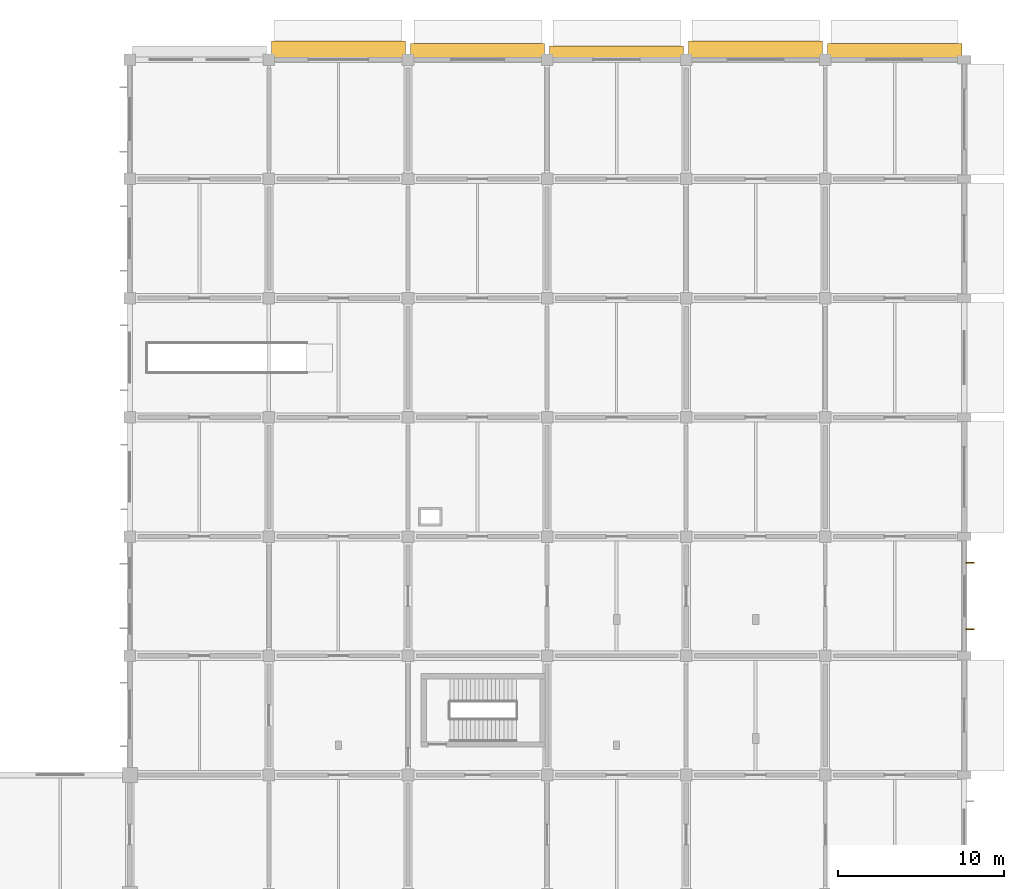
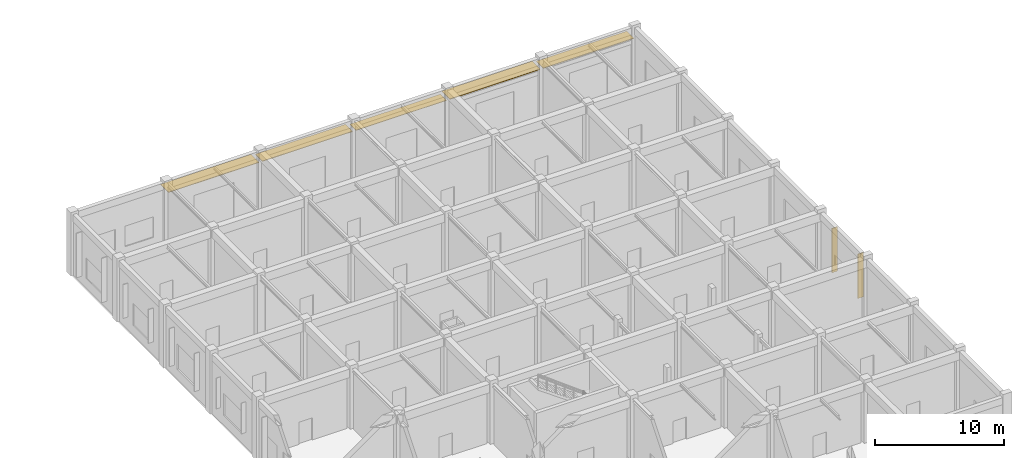
# One storey, part 38 of 39: 7 shading devices.
"""IFC4 building model written with IfcOpenShell, lengths in metres."""

from ifc_helpers import new_model, si_unit, derived_unit, direction, frame, origin, origin_2d, place, context, subcontext, project, spatial, rectangle, extrude, material, layer, layer_set, type_object, element, save


model = new_model("IFC4")

# Units and contexts
model_context = context("Model", 3, precision=1e-05, world=origin(), true_north=direction((0.0, 1.0)))
body_context = subcontext(model_context, "Body", "Model", "MODEL_VIEW")
ifc_project = project(units=[si_unit("LENGTHUNIT", "METRE"), si_unit("AREAUNIT", "SQUARE_METRE"), si_unit("VOLUMEUNIT", "CUBIC_METRE"), si_unit("PLANEANGLEUNIT", "RADIAN"), si_unit("MASSUNIT", "GRAM", prefix="KILO"), derived_unit("THERMALTRANSMITTANCEUNIT", [(si_unit("MASSUNIT", "GRAM", prefix="KILO"), 1), (si_unit("TIMEUNIT", "SECOND"), -3), (si_unit("THERMODYNAMICTEMPERATUREUNIT", "KELVIN"), -1)])], contexts=[model_context])

# Site, building, storey
site_placement = place(None, origin())
site = spatial("IfcSite", under=ifc_project, at=site_placement, CompositionType="ELEMENT")
building_placement = place(site_placement, origin())
building = spatial("IfcBuilding", under=site, at=building_placement, Name="Veldstrom Oceanarium and Marine Research Institute", CompositionType="ELEMENT")
storey_placement = place(building_placement, origin())
storey = spatial("IfcBuildingStorey", under=building, at=storey_placement, Name="L00", CompositionType="ELEMENT", Elevation=0.0)

# Shading devices
ifc_material_1 = material(Name="Precast Terracotta Brise-Soleil Louvre", Category="masonry")
ifc_layer_1 = layer(ifc_material_1, 4.199951171875)
ifc_layer_set_1 = layer_set([ifc_layer_1], Name="ARC-SHD-BS03")
shading_device_type_1 = type_object("IfcShadingDeviceType", Name="ARC-SHD-BS03", PredefinedType="JALOUSIE", material=ifc_layer_set_1)
for number, where, z_axis, x_axis, name in (
    (1, (168.3525390625, 80.7900390625, 0.7373046875), (0.0, 0.0, 1.0), (1.0, 0.0, 0.0), "Terracotta Brise-Soleil Louvre L00-022"),
    (2, (168.3525390625, 84.81005859375, 0.7373046875), (0.0, 0.0, 1.0), (1.0, 0.0, 0.0), "Terracotta Brise-Soleil Louvre L00-022"),
):
    element("IfcShadingDevice", number, at=place(storey_placement, frame(where, z_axis=z_axis, x_axis=x_axis)), inside=storey, type_object=shading_device_type_1, Name=name, PredefinedType="JALOUSIE", context=body_context, shape_type="SweptSolid", body=[
        extrude(rectangle(XDim=0.5, YDim=0.06494140625, at=origin_2d()), origin(), (0.0, 0.0, 1.0), 4.199951171875),
    ])
ifc_material_2 = material(Name="Perforated Anodised Aluminium Louvre", Category="aluminium")
ifc_layer_2 = layer(ifc_material_2, 0.054931640625)
ifc_layer_set_2 = layer_set([ifc_layer_2], Name="ARC-SHD-SH01")
shading_device_type_2 = type_object("IfcShadingDeviceType", Name="ARC-SHD-SH01", PredefinedType="AWNING", material=ifc_layer_set_2)
for number, where, z_axis, x_axis, name in (
    (3, (130.199951171875, 115.705078125, 4.64990234375), (0.0, 0.0, 1.0), (1.0, 0.0, 0.0), "North Solar Canopy Louvre L00-16"),
    (4, (155.39990234375, 115.705078125, 4.64990234375), (0.0, 0.0, 1.0), (1.0, 0.0, 0.0), "North Solar Canopy Louvre L00-19"),
):
    element("IfcShadingDevice", number, at=place(storey_placement, frame(where, z_axis=z_axis, x_axis=x_axis)), inside=storey, type_object=shading_device_type_2, Name=name, PredefinedType="AWNING", context=body_context, shape_type="SweptSolid", body=[
        extrude(rectangle(XDim=8.10009765625, YDim=1.25, at=origin_2d()), origin(), (0.0, 0.0, 1.0), 0.054931640625),
    ])
ifc_material_3 = material(Name="Perforated Anodised Aluminium Louvre", Category="aluminium")
ifc_layer_3 = layer(ifc_material_3, 0.050048828125)
ifc_layer_set_3 = layer_set([ifc_layer_3], Name="ARC-SHD-SH02")
shading_device_type_3 = type_object("IfcShadingDeviceType", Name="ARC-SHD-SH02", PredefinedType="AWNING", material=ifc_layer_set_3)
for number, where, z_axis, x_axis, name in (
    (5, (138.60009765625, 115.6298828125, 4.64990234375), (0.0, 0.0, 1.0), (1.0, 0.0, 0.0), "North Solar Canopy Louvre L00-17"),
    (6, (163.800048828125, 115.6298828125, 4.64990234375), (0.0, 0.0, 1.0), (1.0, 0.0, 0.0), "North Solar Canopy Louvre L00-20"),
):
    element("IfcShadingDevice", number, at=place(storey_placement, frame(where, z_axis=z_axis, x_axis=x_axis)), inside=storey, type_object=shading_device_type_3, Name=name, PredefinedType="AWNING", context=body_context, shape_type="SweptSolid", body=[
        extrude(rectangle(XDim=8.10009765625, YDim=1.10009765625, at=origin_2d()), origin(), (0.0, 0.0, 1.0), 0.050048828125),
    ])
ifc_material_4 = material(Name="Perforated Anodised Aluminium Louvre", Category="aluminium")
ifc_layer_4 = layer(ifc_material_4, 0.044921875)
ifc_layer_set_4 = layer_set([ifc_layer_4], Name="ARC-SHD-SH03")
shading_device_type_4 = type_object("IfcShadingDeviceType", Name="ARC-SHD-SH03", PredefinedType="AWNING", material=ifc_layer_set_4)
shading_device_placement = place(storey_placement, frame((147.0, 115.554931640625, 4.650146484375), z_axis=(0.0, 0.0, 1.0), x_axis=(1.0, 0.0, 0.0)))
element("IfcShadingDevice", 7, at=shading_device_placement, inside=storey, type_object=shading_device_type_4, Name="North Solar Canopy Louvre L00-18", PredefinedType="AWNING", context=body_context, shape_type="SweptSolid", body=[
    extrude(rectangle(XDim=8.10009765625, YDim=0.949951171875, at=origin_2d()), origin(), (0.0, 0.0, 1.0), 0.044921875),
])

save(model, "model.ifc")
